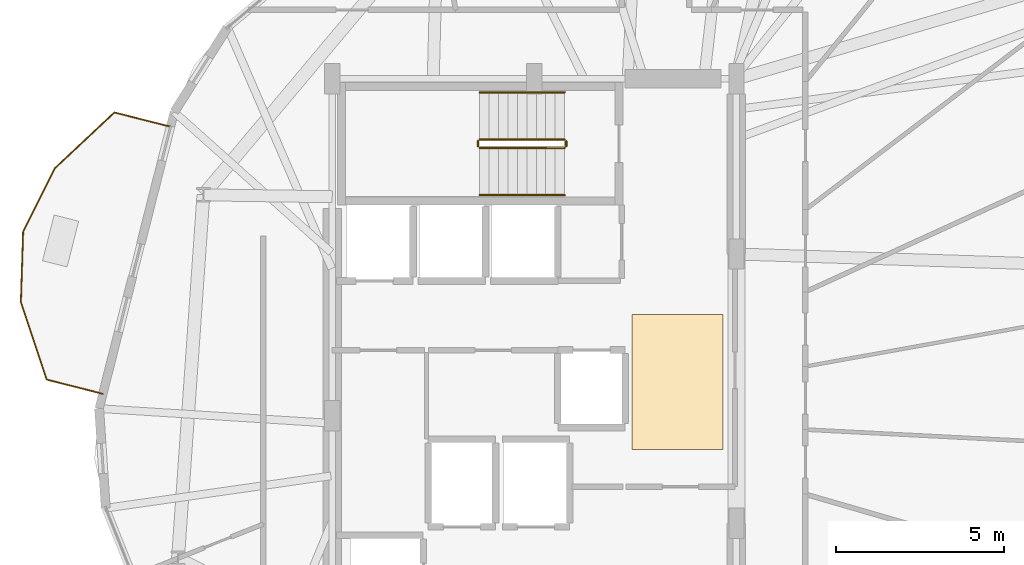
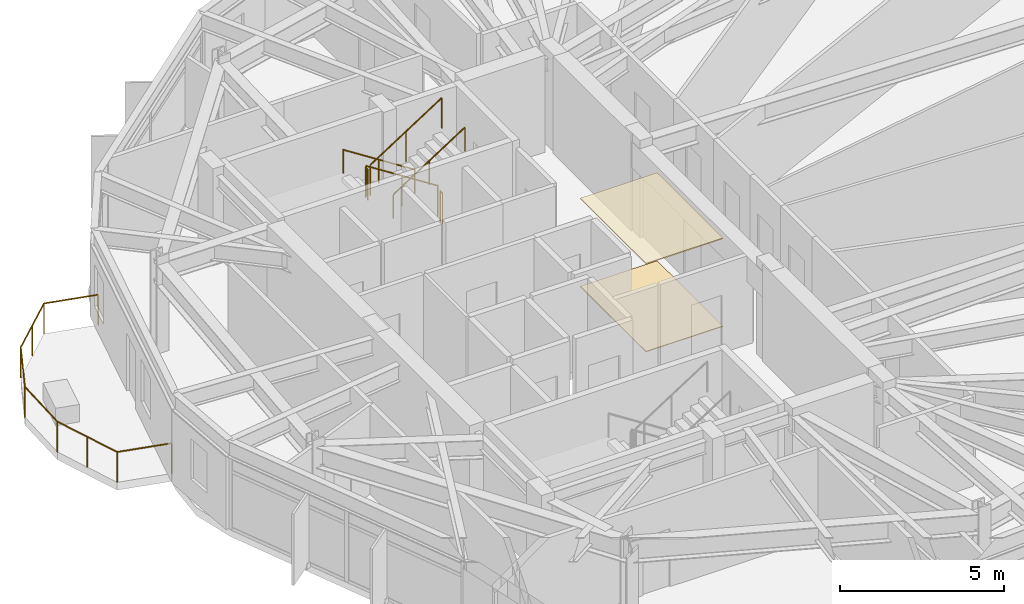
# One storey, part 23 of 24: 7 railings, 2 coverings.
"""IFC4 building model written with IfcOpenShell, lengths in metres."""

from ifc_helpers import new_model, si_unit, direction, frame, origin, origin_2d, place, context, subcontext, project, spatial, polyline, circle, outline, extrude, material, layer, layer_set, type_object, element, save


model = new_model("IFC4")

# Units and contexts
model_context = context("Model", 3, precision=1e-05, world=origin(), true_north=direction((0.0, 1.0)))
body_context = subcontext(model_context, "Body", "Model", "MODEL_VIEW")
ifc_project = project(units=[si_unit("LENGTHUNIT", "METRE"), si_unit("AREAUNIT", "SQUARE_METRE"), si_unit("VOLUMEUNIT", "CUBIC_METRE"), si_unit("PLANEANGLEUNIT", "RADIAN"), si_unit("MASSUNIT", "GRAM", prefix="KILO")], contexts=[model_context])

# Site, building, storey
site_placement = place(None, origin())
site = spatial("IfcSite", under=ifc_project, at=site_placement, CompositionType="ELEMENT")
building_placement = place(site_placement, origin())
building = spatial("IfcBuilding", under=site, at=building_placement, Name="Soratama Intermodal Tower", CompositionType="ELEMENT")
storey_placement = place(building_placement, frame((0.0, 0.0, 178.60009765625)))
storey = spatial("IfcBuildingStorey", under=building, at=storey_placement, Name="L44", CompositionType="ELEMENT", Elevation=178.60009765625)

# Coverings
ifc_material_1 = material(Name="Perforated mineral acoustic ceiling", Category="concrete")
ifc_layer_1 = layer(ifc_material_1, 0.0400390625)
ifc_layer_set_1 = layer_set([ifc_layer_1], Name="Perforated mineral acoustic ceiling")
covering_type_1 = type_object("IfcCoveringType", Name="CV-CEIL-ACOUSTIC", PredefinedType="CEILING", material=ifc_layer_set_1)
covering_1_placement = place(storey_placement, frame((0.0, 0.0, 3.260009765625)))
element("IfcCovering", 1, at=covering_1_placement, inside=storey, type_object=covering_type_1, Name="L44 Acoustic Ceiling", PredefinedType="CEILING", context=body_context, shape_type="SweptSolid", body=[
    extrude(outline(polyline([(41.5, 24.0), (44.199951171875, 24.0), (44.199951171875, 28.0), (41.5, 28.0), (41.5, 24.0)])), origin(), (0.0, 0.0, 1.0), 0.039794921875),
])
ifc_material_2 = material(Name="Polished Andean stone terrazzo flooring", Category="masonry")
ifc_layer_2 = layer(ifc_material_2, 0.030029296875)
ifc_layer_set_2 = layer_set([ifc_layer_2], Name="Polished Andean stone terrazzo flooring")
covering_type_2 = type_object("IfcCoveringType", Name="CV-FLOR-TERRAZZO", PredefinedType="FLOORING", material=ifc_layer_set_2)
covering_2_placement = place(storey_placement, origin())
element("IfcCovering", 2, at=covering_2_placement, inside=storey, type_object=covering_type_2, Name="L44 Lobby Terrazzo Flooring", PredefinedType="FLOORING", context=body_context, shape_type="SweptSolid", body=[
    extrude(outline(polyline([(41.5, 24.0), (44.199951171875, 24.0), (44.199951171875, 28.0), (41.5, 28.0), (41.5, 24.0)])), origin(), (0.0, 0.0, 1.0), 0.02978515625),
])

# Railings
ifc_material_3 = material(Name="Laminated glass and stainless steel balustrade", Category="steel")
railing_type_1 = type_object("IfcRailingType", Name="RL-BAL-1150", PredefinedType="BALUSTRADE", material=ifc_material_3)
railing_1_placement = place(storey_placement, frame((25.78662109375, 25.64599609375, 0.0)))
element("IfcRailing", 3, at=railing_1_placement, inside=storey, type_object=railing_type_1, Name="L44 Balcony Balustrade 2", PredefinedType="BALUSTRADE", context=body_context, shape_type="SweptSolid", body=[
    extrude(circle(Radius=0.02392578125, at=origin_2d()), frame((0.0, 0.0, 1.1259765625), z_axis=(-0.969344088151, 0.245707221641, 0.0), x_axis=(-0.245707221641, -0.969344088151, 0.0)), (0.0, 0.0, 1.0), 1.719970703125),
    extrude(circle(Radius=0.02392578125, at=origin_2d()), frame((-1.667236328125, 0.422607421875, 1.1259765625), z_axis=(-0.316016812457, 0.948753589845, 0.0), x_axis=(-0.948753589845, -0.316016812457, 0.0)), (0.0, 0.0, 1.0), 2.430419921875),
    extrude(circle(Radius=0.02392578125, at=origin_2d()), frame((-2.435302734375, 2.728515625, 1.1259765625), z_axis=(0.032154945717, 0.999482896035, 0.0), x_axis=(-0.999482896035, 0.032154945717, 0.0)), (0.0, 0.0, 1.0), 2.095458984375),
    extrude(circle(Radius=0.02392578125, at=origin_2d()), frame((-2.367919921875, 4.822998046875, 1.1259765625), z_axis=(0.447772787119, 0.89414737662, 0.0), x_axis=(-0.89414737662, 0.447772787119, 0.0)), (0.0, 0.0, 1.0), 2.09521484375),
    extrude(circle(Radius=0.02392578125, at=origin_2d()), frame((-1.4296875, 6.696533203125, 1.1259765625), z_axis=(0.72963743316, 0.683834202224, 0.0), x_axis=(-0.683834202224, 0.72963743316, 0.0)), (0.0, 0.0, 1.0), 2.4306640625),
    extrude(circle(Radius=0.02392578125, at=origin_2d()), frame((0.34375, 8.358642578125, 1.1259765625), z_axis=(0.969344088151, -0.245707221641, 0.0), x_axis=(0.245707221641, 0.969344088151, 0.0)), (0.0, 0.0, 1.0), 1.719970703125),
    extrude(circle(Radius=0.02099609375, at=origin_2d()), origin(), (0.0, 0.0, 1.0), 1.101806640625),
    extrude(circle(Radius=0.02099609375, at=origin_2d()), frame((-1.667236328125, 0.422607421875, 0.0)), (0.0, 0.0, 1.0), 1.101806640625),
    extrude(circle(Radius=0.02099609375, at=origin_2d()), frame((-2.05126953125, 1.57568359375, 0.0)), (0.0, 0.0, 1.0), 1.101806640625),
    extrude(circle(Radius=0.02099609375, at=origin_2d()), frame((-2.435302734375, 2.728515625, 0.0)), (0.0, 0.0, 1.0), 1.101806640625),
    extrude(circle(Radius=0.02099609375, at=origin_2d()), frame((-2.367919921875, 4.822998046875, 0.0)), (0.0, 0.0, 1.0), 1.101806640625),
    extrude(circle(Radius=0.02099609375, at=origin_2d()), frame((-1.4296875, 6.696533203125, 0.0)), (0.0, 0.0, 1.0), 1.101806640625),
    extrude(circle(Radius=0.02099609375, at=origin_2d()), frame((-0.54296875, 7.527587890625, 0.0)), (0.0, 0.0, 1.0), 1.101806640625),
    extrude(circle(Radius=0.02099609375, at=origin_2d()), frame((0.34375, 8.358642578125, 0.0)), (0.0, 0.0, 1.0), 1.101806640625),
    extrude(circle(Radius=0.02099609375, at=origin_2d()), frame((2.010986328125, 7.93603515625, 0.0)), (0.0, 0.0, 1.0), 1.101806640625),
])
ifc_material_4 = material(Name="Painted steel stair guardrail", Category="steel")
railing_type_2 = type_object("IfcRailingType", Name="RL-STAIR-GUARD", PredefinedType="GUARDRAIL", material=ifc_material_4)
railing_2_placement = place(storey_placement, frame((39.5, 33.199951171875, 0.179931640625)))
element("IfcRailing", 4, at=railing_2_placement, inside=storey, type_object=railing_type_2, Name="L44 ST-2 stair guard 1", PredefinedType="GUARDRAIL", context=body_context, shape_type="SweptSolid", body=[
    extrude(circle(Radius=0.02392578125, at=origin_2d()), frame((0.0, 0.0, 1.1259765625), z_axis=(-0.841199657755, 0.0, 0.540724639528), x_axis=(0.0, -1.0, 0.0)), (0.0, 0.0, 1.0), 2.995849609375),
    extrude(circle(Radius=0.02099609375, at=origin_2d()), origin(), (0.0, 0.0, 1.0), 1.101806640625),
    extrude(circle(Radius=0.02099609375, at=origin_2d()), frame((-1.260009765625, 0.0, 0.81005859375)), (0.0, 0.0, 1.0), 1.101806640625),
    extrude(circle(Radius=0.02099609375, at=origin_2d()), frame((-2.52001953125, 0.0, 1.619873046875)), (0.0, 0.0, 1.0), 1.101806640625),
])
railing_3_placement = place(storey_placement, frame((36.929931640625, 33.14990234375, 1.7998046875)))
element("IfcRailing", 5, at=railing_3_placement, inside=storey, type_object=railing_type_2, Name="L44 ST-2 stair guard 2", PredefinedType="GUARDRAIL", context=body_context, shape_type="SweptSolid", body=[
    extrude(circle(Radius=0.02392578125, at=origin_2d()), frame((0.0, 0.0, 1.1259765625), z_axis=(0.0, -1.0, 0.0), x_axis=(1.0, 0.0, 0.0)), (0.0, 0.0, 1.0), 0.14990234375),
    extrude(circle(Radius=0.02099609375, at=origin_2d()), origin(), (0.0, 0.0, 1.0), 1.101806640625),
    extrude(circle(Radius=0.02099609375, at=origin_2d()), frame((0.0, -0.14990234375, 0.0)), (0.0, 0.0, 1.0), 1.101806640625),
])
railing_4_placement = place(storey_placement, frame((36.97998046875, 32.949951171875, 1.97998046875)))
element("IfcRailing", 6, at=railing_4_placement, inside=storey, type_object=railing_type_2, Name="L44 ST-2 stair guard 3", PredefinedType="GUARDRAIL", context=body_context, shape_type="SweptSolid", body=[
    extrude(circle(Radius=0.02392578125, at=origin_2d()), frame((0.0, 0.0, 1.1259765625), z_axis=(0.841199657755, 0.0, 0.540724639528), x_axis=(0.0, 1.0, 0.0)), (0.0, 0.0, 1.0), 2.995849609375),
    extrude(circle(Radius=0.02099609375, at=origin_2d()), origin(), (0.0, 0.0, 1.0), 1.101806640625),
    extrude(circle(Radius=0.02099609375, at=origin_2d()), frame((1.260009765625, 0.0, 0.81005859375)), (0.0, 0.0, 1.0), 1.101806640625),
    extrude(circle(Radius=0.02099609375, at=origin_2d()), frame((2.52001953125, 0.0, 1.619873046875)), (0.0, 0.0, 1.0), 1.101806640625),
])
railing_5_placement = place(storey_placement, frame((39.550048828125, 33.14990234375, 0.0)))
element("IfcRailing", 7, at=railing_5_placement, inside=storey, type_object=railing_type_2, Name="L44 ST-2 stair guard 4", PredefinedType="GUARDRAIL", context=body_context, shape_type="SweptSolid", body=[
    extrude(circle(Radius=0.02392578125, at=origin_2d()), frame((0.0, 0.0, 1.1259765625), z_axis=(0.0, -1.0, 0.0), x_axis=(1.0, 0.0, 0.0)), (0.0, 0.0, 1.0), 0.14990234375),
    extrude(circle(Radius=0.02099609375, at=origin_2d()), origin(), (0.0, 0.0, 1.0), 1.101806640625),
    extrude(circle(Radius=0.02099609375, at=origin_2d()), frame((0.0, -0.14990234375, 0.0)), (0.0, 0.0, 1.0), 1.101806640625),
])
ifc_material_5 = material(Name="Brushed stainless steel handrail", Category="steel")
railing_type_3 = type_object("IfcRailingType", Name="RL-STAIR-HAND", PredefinedType="HANDRAIL", material=ifc_material_5)
railing_6_placement = place(storey_placement, frame((39.5, 34.60009765625, 0.179931640625)))
element("IfcRailing", 8, at=railing_6_placement, inside=storey, type_object=railing_type_3, Name="L44 ST-2 stair handrail 1", PredefinedType="HANDRAIL", context=body_context, shape_type="SweptSolid", body=[
    extrude(circle(Radius=0.02392578125, at=origin_2d()), frame((0.0, 0.0, 0.8759765625), z_axis=(-0.841199657755, 0.0, 0.540724639528), x_axis=(0.0, -1.0, 0.0)), (0.0, 0.0, 1.0), 2.995849609375),
    extrude(circle(Radius=0.02099609375, at=origin_2d()), origin(), (0.0, 0.0, 1.0), 0.851806640625),
    extrude(circle(Radius=0.02099609375, at=origin_2d()), frame((-1.260009765625, 0.0, 0.81005859375)), (0.0, 0.0, 1.0), 0.851806640625),
    extrude(circle(Radius=0.02099609375, at=origin_2d()), frame((-2.52001953125, 0.0, 1.619873046875)), (0.0, 0.0, 1.0), 0.851806640625),
])
railing_7_placement = place(storey_placement, frame((36.97998046875, 31.550048828125, 1.97998046875)))
element("IfcRailing", 9, at=railing_7_placement, inside=storey, type_object=railing_type_3, Name="L44 ST-2 stair handrail 2", PredefinedType="HANDRAIL", context=body_context, shape_type="SweptSolid", body=[
    extrude(circle(Radius=0.02392578125, at=origin_2d()), frame((0.0, 0.0, 0.8759765625), z_axis=(0.841199657755, 0.0, 0.540724639528), x_axis=(0.0, 1.0, 0.0)), (0.0, 0.0, 1.0), 2.995849609375),
    extrude(circle(Radius=0.02099609375, at=origin_2d()), origin(), (0.0, 0.0, 1.0), 0.851806640625),
    extrude(circle(Radius=0.02099609375, at=origin_2d()), frame((1.260009765625, 0.0, 0.81005859375)), (0.0, 0.0, 1.0), 0.851806640625),
    extrude(circle(Radius=0.02099609375, at=origin_2d()), frame((2.52001953125, 0.0, 1.619873046875)), (0.0, 0.0, 1.0), 0.851806640625),
])

save(model, "model.ifc")
